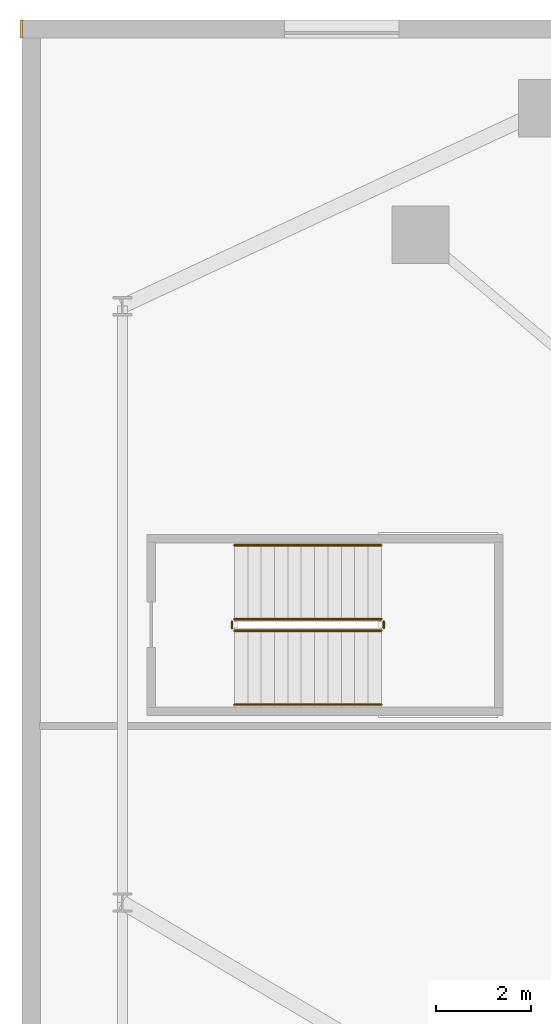
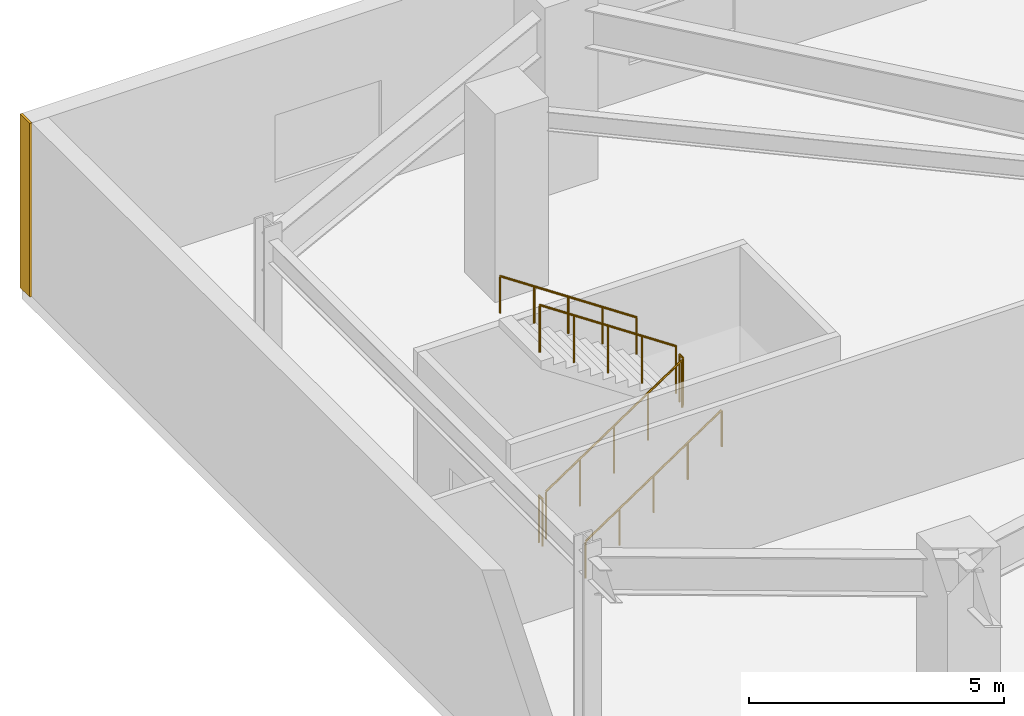
# One storey, part 19 of 21: 6 railings, 1 covering.
"""IFC4 building model written with IfcOpenShell, lengths in metres."""

from ifc_helpers import new_model, si_unit, direction, frame, frame_2d, origin, origin_2d, place, context, subcontext, project, spatial, rectangle, circle, extrude, material, layer, layer_set, type_object, element, save


model = new_model("IFC4")

# Units and contexts
model_context = context("Model", 3, precision=1e-05, world=origin(), true_north=direction((0.0, 1.0)))
body_context = subcontext(model_context, "Body", "Model", "MODEL_VIEW")
ifc_project = project(units=[si_unit("LENGTHUNIT", "METRE"), si_unit("AREAUNIT", "SQUARE_METRE"), si_unit("VOLUMEUNIT", "CUBIC_METRE"), si_unit("PLANEANGLEUNIT", "RADIAN"), si_unit("MASSUNIT", "GRAM", prefix="KILO")], contexts=[model_context])

# Site, building, storey
site_placement = place(None, origin())
site = spatial("IfcSite", under=ifc_project, at=site_placement, CompositionType="ELEMENT")
building_placement = place(site_placement, origin())
building = spatial("IfcBuilding", under=site, at=building_placement, Name="Cairnveth Concourse Tower", CompositionType="ELEMENT")
storey_placement = place(building_placement, frame((0.0, 0.0, 14.5)))
storey = spatial("IfcBuildingStorey", under=building, at=storey_placement, Name="L03", CompositionType="ELEMENT", Elevation=14.5)

# Covering
ifc_material_1 = material(Name="Dressed Melbourne Bluestone Cladding", Category="masonry")
ifc_layer = layer(ifc_material_1, 0.050048828125)
ifc_layer_set = layer_set([ifc_layer], Name="Dressed Melbourne Bluestone Cladding")
covering_type = type_object("IfcCoveringType", Name="DRESSED BLUESTONE PLINTH CLADDING 50", PredefinedType="CLADDING", material=ifc_layer_set)
covering_placement = place(storey_placement, frame((18.47998046875, 65.6201171875, 0.0), z_axis=(0.0, 0.0, 1.0), x_axis=(0.0, 1.0, 0.0)))
element("IfcCovering", 1, at=covering_placement, inside=storey, type_object=covering_type, Name="Melbourne Bluestone Corner Quoin L03-15", PredefinedType="CLADDING", context=body_context, shape_type="SweptSolid", body=[
    extrude(rectangle(XDim=0.3798828125, YDim=0.050048828125, at=frame_2d((0.18994140625, 0.0))), origin(), (0.0, 0.0, 1.0), 4.14990234375),
])

# Railings
ifc_material_2 = material(Name="Steel Grade 350", Category="steel")
railing_type_1 = type_object("IfcRailingType", Name="STAIR GUARDRAIL 1150", PredefinedType="GUARDRAIL", material=ifc_material_2)
railing_1_placement = place(storey_placement, frame((22.949951171875, 53.199951171875, 0.1875)))
element("IfcRailing", 2, at=railing_1_placement, inside=storey, type_object=railing_type_1, Name="L03 ST-P1 stair guard 1", PredefinedType="GUARDRAIL", context=body_context, shape_type="SweptSolid", body=[
    extrude(circle(Radius=0.02392578125, at=origin_2d()), frame((0.0, 0.0, 1.1259765625), z_axis=(0.830913701846, 0.0, 0.55640131208), x_axis=(0.0, 1.0, 0.0)), (0.0, 0.0, 1.0), 3.706787109375),
    extrude(circle(Radius=0.02099609375, at=origin_2d()), origin(), (0.0, 0.0, 1.0), 1.101806640625),
    extrude(circle(Radius=0.02099609375, at=origin_2d()), frame((0.77001953125, 0.0, 0.515625)), (0.0, 0.0, 1.0), 1.101806640625),
    extrude(circle(Radius=0.02099609375, at=origin_2d()), frame((1.5400390625, 0.0, 1.03125)), (0.0, 0.0, 1.0), 1.101806640625),
    extrude(circle(Radius=0.02099609375, at=origin_2d()), frame((2.31005859375, 0.0, 1.546875)), (0.0, 0.0, 1.0), 1.101806640625),
    extrude(circle(Radius=0.02099609375, at=origin_2d()), frame((3.080078125, 0.0, 2.0625)), (0.0, 0.0, 1.0), 1.101806640625),
])
railing_2_placement = place(storey_placement, frame((26.080078125, 53.25, 2.25)))
element("IfcRailing", 3, at=railing_2_placement, inside=storey, type_object=railing_type_1, Name="L03 ST-P1 stair guard 2", PredefinedType="GUARDRAIL", context=body_context, shape_type="SweptSolid", body=[
    extrude(circle(Radius=0.02392578125, at=origin_2d()), frame((0.0, 0.0, 1.1259765625), z_axis=(0.0, 1.0, 0.0), x_axis=(-1.0, 0.0, 0.0)), (0.0, 0.0, 1.0), 0.139892578125),
    extrude(circle(Radius=0.02099609375, at=origin_2d()), origin(), (0.0, 0.0, 1.0), 1.101806640625),
    extrude(circle(Radius=0.02099609375, at=origin_2d()), frame((0.0, 0.139892578125, 0.0)), (0.0, 0.0, 1.0), 1.101806640625),
])
railing_3_placement = place(storey_placement, frame((26.030029296875, 53.43994140625, 2.4375)))
element("IfcRailing", 4, at=railing_3_placement, inside=storey, type_object=railing_type_1, Name="L03 ST-P1 stair guard 3", PredefinedType="GUARDRAIL", context=body_context, shape_type="SweptSolid", body=[
    extrude(circle(Radius=0.02392578125, at=origin_2d()), frame((0.0, 0.0, 1.1259765625), z_axis=(-0.830913701846, 0.0, 0.55640131208), x_axis=(0.0, -1.0, 0.0)), (0.0, 0.0, 1.0), 3.706787109375),
    extrude(circle(Radius=0.02099609375, at=origin_2d()), origin(), (0.0, 0.0, 1.0), 1.101806640625),
    extrude(circle(Radius=0.02099609375, at=origin_2d()), frame((-0.77001953125, 0.0, 0.515625)), (0.0, 0.0, 1.0), 1.101806640625),
    extrude(circle(Radius=0.02099609375, at=origin_2d()), frame((-1.5400390625, 0.0, 1.03125)), (0.0, 0.0, 1.0), 1.101806640625),
    extrude(circle(Radius=0.02099609375, at=origin_2d()), frame((-2.31005859375, 0.0, 1.546875)), (0.0, 0.0, 1.0), 1.101806640625),
    extrude(circle(Radius=0.02099609375, at=origin_2d()), frame((-3.080078125, 0.0, 2.0625)), (0.0, 0.0, 1.0), 1.101806640625),
])
railing_4_placement = place(storey_placement, frame((22.89990234375, 53.25, 0.0)))
element("IfcRailing", 5, at=railing_4_placement, inside=storey, type_object=railing_type_1, Name="L03 ST-P1 stair guard 4", PredefinedType="GUARDRAIL", context=body_context, shape_type="SweptSolid", body=[
    extrude(circle(Radius=0.02392578125, at=origin_2d()), frame((0.0, 0.0, 1.1259765625), z_axis=(0.0, 1.0, 0.0), x_axis=(-1.0, 0.0, 0.0)), (0.0, 0.0, 1.0), 0.139892578125),
    extrude(circle(Radius=0.02099609375, at=origin_2d()), origin(), (0.0, 0.0, 1.0), 1.101806640625),
    extrude(circle(Radius=0.02099609375, at=origin_2d()), frame((0.0, 0.139892578125, 0.0)), (0.0, 0.0, 1.0), 1.101806640625),
])
railing_type_2 = type_object("IfcRailingType", Name="STAIR WALL HANDRAIL 900", PredefinedType="HANDRAIL", material=ifc_material_2)
railing_5_placement = place(storey_placement, frame((22.949951171875, 51.64990234375, 0.1875)))
element("IfcRailing", 6, at=railing_5_placement, inside=storey, type_object=railing_type_2, Name="L03 ST-P1 stair handrail 1", PredefinedType="HANDRAIL", context=body_context, shape_type="SweptSolid", body=[
    extrude(circle(Radius=0.02392578125, at=origin_2d()), frame((0.0, 0.0, 0.8759765625), z_axis=(0.830913701846, 0.0, 0.55640131208), x_axis=(0.0, 1.0, 0.0)), (0.0, 0.0, 1.0), 3.706787109375),
    extrude(circle(Radius=0.02099609375, at=origin_2d()), origin(), (0.0, 0.0, 1.0), 0.851806640625),
    extrude(circle(Radius=0.02099609375, at=origin_2d()), frame((0.77001953125, 0.0, 0.515625)), (0.0, 0.0, 1.0), 0.851806640625),
    extrude(circle(Radius=0.02099609375, at=origin_2d()), frame((1.5400390625, 0.0, 1.03125)), (0.0, 0.0, 1.0), 0.851806640625),
    extrude(circle(Radius=0.02099609375, at=origin_2d()), frame((2.31005859375, 0.0, 1.546875)), (0.0, 0.0, 1.0), 0.851806640625),
    extrude(circle(Radius=0.02099609375, at=origin_2d()), frame((3.080078125, 0.0, 2.0625)), (0.0, 0.0, 1.0), 0.851806640625),
])
railing_6_placement = place(storey_placement, frame((26.030029296875, 54.989990234375, 2.4375)))
element("IfcRailing", 7, at=railing_6_placement, inside=storey, type_object=railing_type_2, Name="L03 ST-P1 stair handrail 2", PredefinedType="HANDRAIL", context=body_context, shape_type="SweptSolid", body=[
    extrude(circle(Radius=0.02392578125, at=origin_2d()), frame((0.0, 0.0, 0.8759765625), z_axis=(-0.830913701846, 0.0, 0.55640131208), x_axis=(0.0, -1.0, 0.0)), (0.0, 0.0, 1.0), 3.706787109375),
    extrude(circle(Radius=0.02099609375, at=origin_2d()), origin(), (0.0, 0.0, 1.0), 0.851806640625),
    extrude(circle(Radius=0.02099609375, at=origin_2d()), frame((-0.77001953125, 0.0, 0.515625)), (0.0, 0.0, 1.0), 0.851806640625),
    extrude(circle(Radius=0.02099609375, at=origin_2d()), frame((-1.5400390625, 0.0, 1.03125)), (0.0, 0.0, 1.0), 0.851806640625),
    extrude(circle(Radius=0.02099609375, at=origin_2d()), frame((-2.31005859375, 0.0, 1.546875)), (0.0, 0.0, 1.0), 0.851806640625),
    extrude(circle(Radius=0.02099609375, at=origin_2d()), frame((-3.080078125, 0.0, 2.0625)), (0.0, 0.0, 1.0), 0.851806640625),
])

save(model, "model.ifc")
